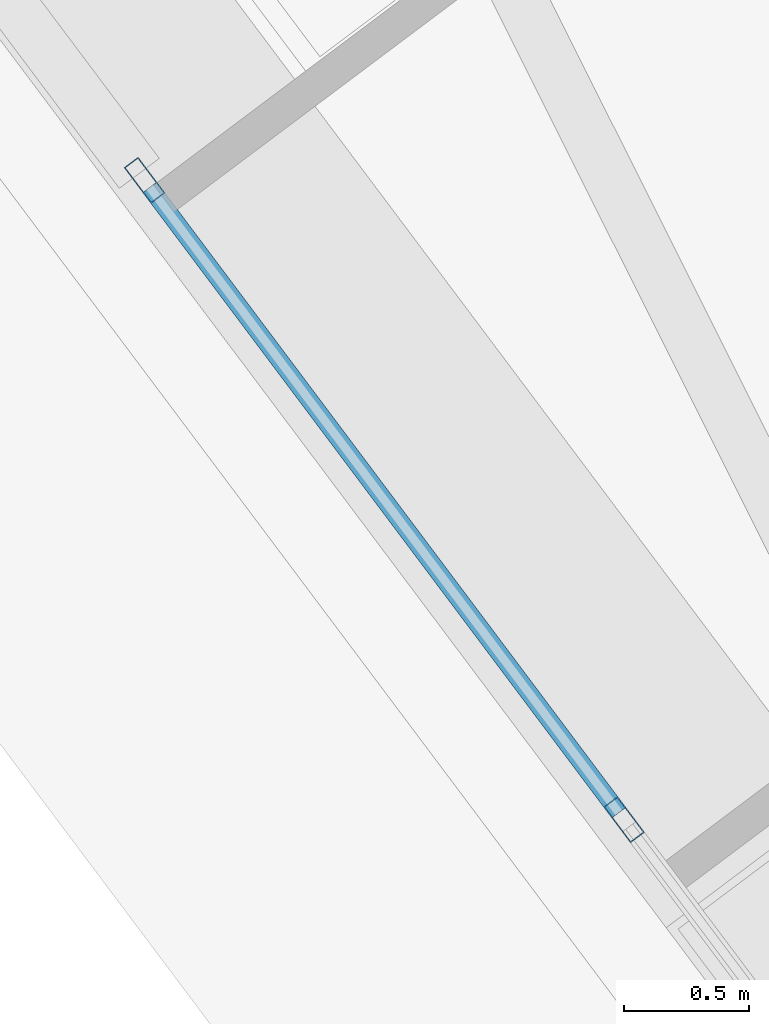
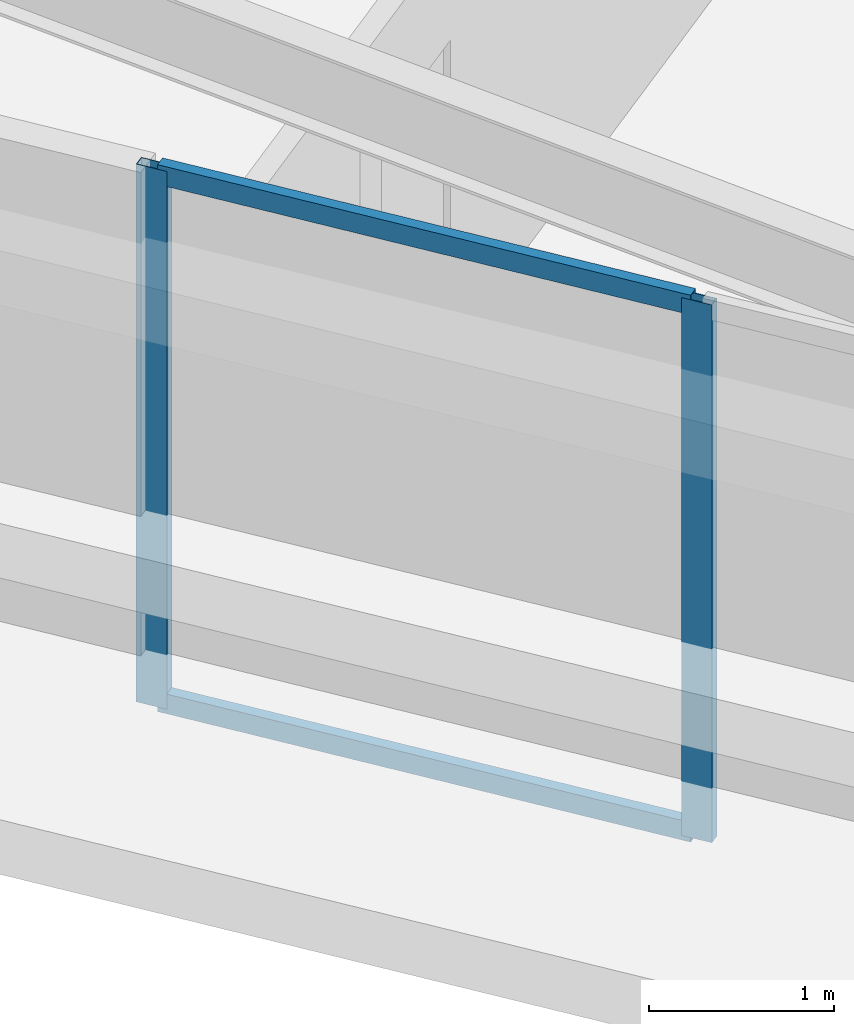
# One storey, part 33 of 65: 4 members, 1 element without a shape of its own.
"""IFC4 building model written with IfcOpenShell, lengths in metres."""

from ifc_helpers import new_model, si_unit, direction, frame, origin, origin_2d, place, context, subcontext, project, spatial, hollow_rectangle, extrude, material, material_profile, profile_set, type_object, element, aggregate, save


model = new_model("IFC4")

# Units and contexts
model_context = context("Model", 3, precision=1e-05, world=origin(), true_north=direction((0.0, 1.0)))
body_context = subcontext(model_context, "Body", "Model", "MODEL_VIEW")
ifc_project = project(units=[si_unit("LENGTHUNIT", "METRE"), si_unit("AREAUNIT", "SQUARE_METRE"), si_unit("VOLUMEUNIT", "CUBIC_METRE"), si_unit("PLANEANGLEUNIT", "RADIAN"), si_unit("MASSUNIT", "GRAM", prefix="KILO")], contexts=[model_context])

# Site, building, storey
site_placement = place(None, origin())
site = spatial("IfcSite", under=ifc_project, at=site_placement, CompositionType="ELEMENT")
building_placement = place(site_placement, origin())
building = spatial("IfcBuilding", under=site, at=building_placement, Name="Tashvorn Skyway Center", CompositionType="ELEMENT")
storey_placement = place(building_placement, frame((0.0, 0.0, 157.0)))
storey = spatial("IfcBuildingStorey", under=building, at=storey_placement, Name="L42", CompositionType="ELEMENT", Elevation=157.0)

# Curtain wall, members
ifc_material = material(Name="Thermally broken bronze-anodized aluminium 6063-T6", Category="aluminium")
curtain_wall_type = type_object("IfcCurtainWallType", Name="CW-CW-Z4", PredefinedType="NOTDEFINED", material=ifc_material)
curtain_wall_placement = place(storey_placement, origin())
curtain_wall = element("IfcCurtainWall", 1, at=curtain_wall_placement, inside=storey, type_object=curtain_wall_type, Name="Tower 2 L42 West Unitised Curtain Wall Glazing Group 3", PredefinedType="NOTDEFINED")
ifc_material_profile_1 = material_profile(ifc_material, hollow_rectangle(XDim=0.070068359375, YDim=0.179931640625, WallThickness=0.00390625, at=origin_2d()), Name="ALU-MULL-70x180")
ifc_profile_set_1 = profile_set([ifc_material_profile_1], Name="Thermally broken bronze-anodized aluminium 6063-T6")
member_type_1 = type_object("IfcMemberType", Name="CWM-CW-Z4", PredefinedType="MULLION", material=ifc_profile_set_1)
member_1_placement = place(storey_placement, frame((95.716064453125, 28.412109375, 0.0), z_axis=(0.0, 0.0, 1.0), x_axis=(-0.799999999998, -0.600000000002, 0.0)))
member_1 = element("IfcMember", 2, at=member_1_placement, type_object=member_type_1, Name="CW-Z4 mullion 2", PredefinedType="MULLION", context=body_context, shape_type="SweptSolid", body=[
    extrude(hollow_rectangle(XDim=0.070068359375, YDim=0.179931640625, WallThickness=0.00390625, at=origin_2d()), origin(), (0.0, 0.0, 1.0), 3.550048828125),
])
member_2_placement = place(storey_placement, frame((93.79296875, 30.97607421875, 0.0), z_axis=(0.0, 0.0, 1.0), x_axis=(-0.799999999998, -0.600000000002, 0.0)))
member_2 = element("IfcMember", 3, at=member_2_placement, type_object=member_type_1, Name="CW-Z4 mullion 3", PredefinedType="MULLION", context=body_context, shape_type="SweptSolid", body=[
    extrude(hollow_rectangle(XDim=0.070068359375, YDim=0.179931640625, WallThickness=0.00390625, at=origin_2d()), origin(), (0.0, 0.0, 1.0), 3.550048828125),
])
ifc_material_profile_2 = material_profile(ifc_material, hollow_rectangle(XDim=0.070068359375, YDim=0.1298828125, WallThickness=0.00390625, at=origin_2d()), Name="ALU-TRAN-70x130")
ifc_profile_set_2 = profile_set([ifc_material_profile_2], Name="Thermally broken bronze-anodized aluminium 6063-T6")
member_type_2 = type_object("IfcMemberType", Name="CWT-CW-Z4", PredefinedType="USERDEFINED", material=ifc_profile_set_2)
member_3_placement = place(storey_placement, frame((95.695068359375, 28.43994140625, 0.034912109375), z_axis=(-0.600012459628, 0.799990655127, 0.0), x_axis=(-0.799990655127, -0.600012459628, 0.0)))
member_3 = element("IfcMember", 4, at=member_3_placement, type_object=member_type_2, Name="CW-Z4 transom 2.1", ObjectType="TRANSOM", PredefinedType="USERDEFINED", context=body_context, shape_type="SweptSolid", body=[
    extrude(hollow_rectangle(XDim=0.070068359375, YDim=0.1298828125, WallThickness=0.00390625, at=origin_2d()), origin(), (0.0, 0.0, 1.0), 3.135009765625),
])
member_4_placement = place(storey_placement, frame((95.695068359375, 28.43994140625, 3.514892578125), z_axis=(-0.600012459628, 0.799990655127, 0.0), x_axis=(-0.799990655127, -0.600012459628, 0.0)))
member_4 = element("IfcMember", 5, at=member_4_placement, type_object=member_type_2, Name="CW-Z4 transom 2.2", ObjectType="TRANSOM", PredefinedType="USERDEFINED", context=body_context, shape_type="SweptSolid", body=[
    extrude(hollow_rectangle(XDim=0.070068359375, YDim=0.1298828125, WallThickness=0.00390625, at=origin_2d()), origin(), (0.0, 0.0, 1.0), 3.135009765625),
])
aggregate(curtain_wall, [member_1, member_2, member_3, member_4])

save(model, "model.ifc")
